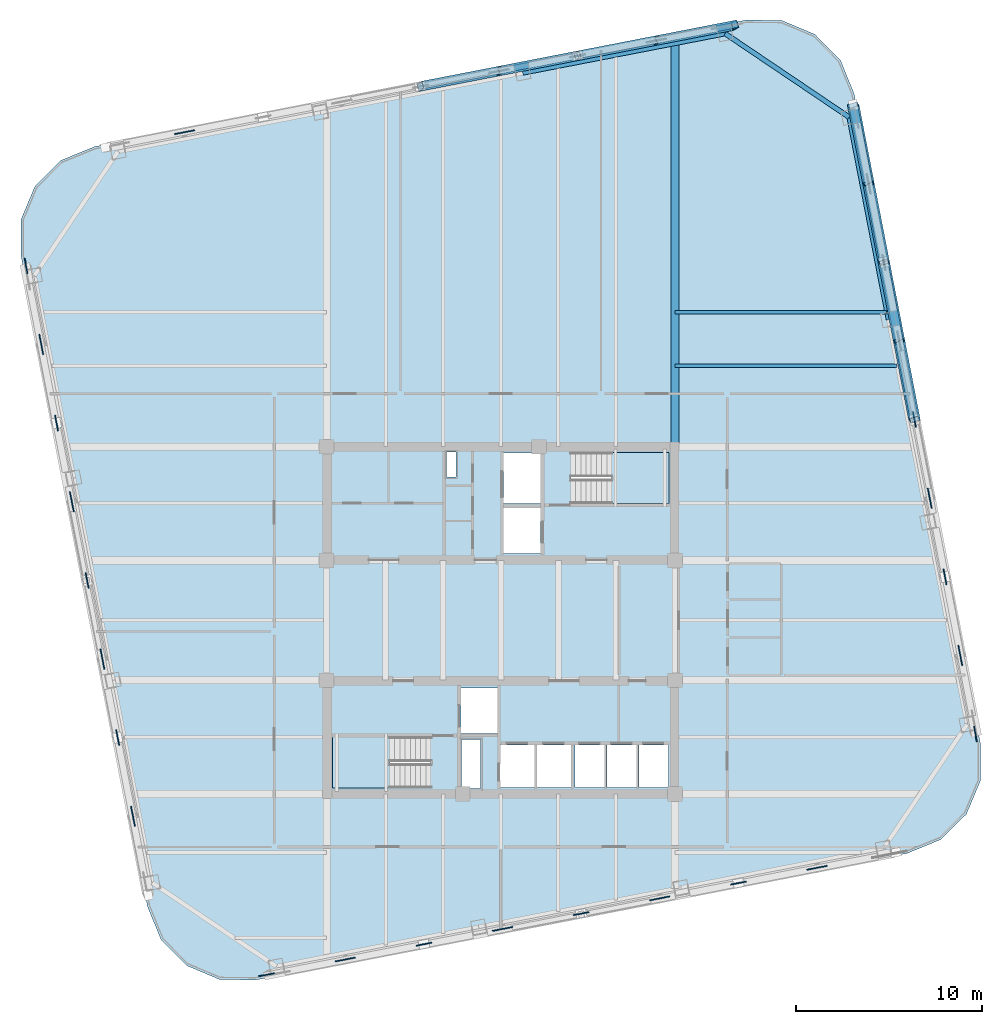
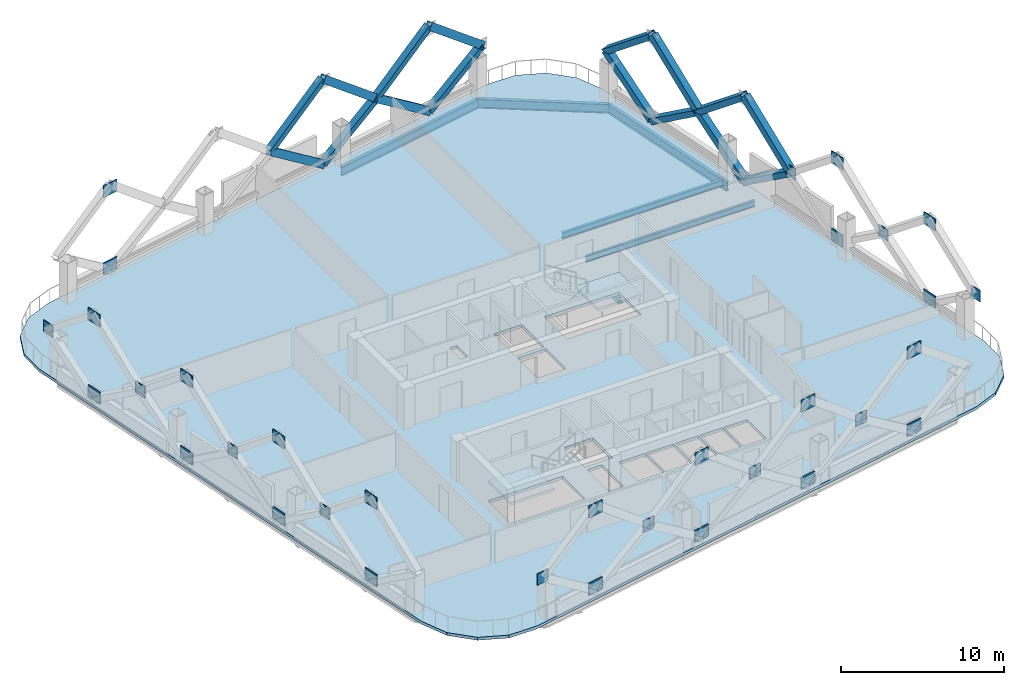
# One storey, part 3 of 9: 33 plates, 16 members, 6 beams, 3 slabs, 2 elements without a shape of their own.
"""IFC4 building model written with IfcOpenShell, lengths in metres."""

from ifc_helpers import new_model, si_unit, direction, frame, origin, origin_2d, place, context, subcontext, project, spatial, polyline, rectangle, hollow_rectangle, i_section, outline, extrude, material, layer, layer_set, material_profile, profile_set, type_object, element, aggregate, save


model = new_model("IFC4")

# Units and contexts
model_context = context("Model", 3, precision=1e-05, world=origin(), true_north=direction((0.0, 1.0)))
body_context = subcontext(model_context, "Body", "Model", "MODEL_VIEW")
ifc_project = project(units=[si_unit("LENGTHUNIT", "METRE"), si_unit("AREAUNIT", "SQUARE_METRE"), si_unit("VOLUMEUNIT", "CUBIC_METRE"), si_unit("PLANEANGLEUNIT", "RADIAN"), si_unit("MASSUNIT", "GRAM", prefix="KILO")], contexts=[model_context])

# Site, building, storey
site_placement = place(None, origin())
site = spatial("IfcSite", under=ifc_project, at=site_placement, CompositionType="ELEMENT")
building_placement = place(site_placement, origin())
building = spatial("IfcBuilding", under=site, at=building_placement, Name="Qhalaya Broadcast Tower", CompositionType="ELEMENT")
storey_placement = place(building_placement, frame((0.0, 0.0, 137.199951171875)))
storey = spatial("IfcBuildingStorey", under=building, at=storey_placement, Name="L40", CompositionType="ELEMENT", Elevation=137.199951171875)

# Beams
ifc_material_1 = material(Name="Structural Steel ASTM A992 Grade 50", Category="steel")
ifc_material_profile_1 = material_profile(ifc_material_1, i_section(OverallWidth=0.19189453125, OverallDepth=0.462890625, WebThickness=0.010498046875, FlangeThickness=0.017578125, at=origin_2d()), Name="W18X60")
ifc_profile_set_1 = profile_set([ifc_material_profile_1], Name="Structural Steel ASTM A992 Grade 50")
beam_type_1 = type_object("IfcBeamType", Name="Composite Floor Joist J03", PredefinedType="JOIST", material=ifc_profile_set_1)
beam_1_placement = place(storey_placement, frame((9.375, 14.300048828125, -0.451416015625), z_axis=(1.0, 0.0, 0.0), x_axis=(0.0, 1.0, 0.0)))
element("IfcBeam", 1, at=beam_1_placement, inside=storey, type_object=beam_type_1, Name="L40 J03 L40-JWE6E-1", PredefinedType="JOIST", context=body_context, shape_type="SweptSolid", body=[
    extrude(i_section(OverallWidth=0.19189453125, OverallDepth=0.462890625, WebThickness=0.010498046875, FlangeThickness=0.017578125, at=origin_2d()), origin(), (0.0, 0.0, 1.0), 11.969482421875),
])
beam_2_placement = place(storey_placement, frame((9.375, 17.199951171875, -0.451416015625), z_axis=(1.0, 0.0, 0.0), x_axis=(0.0, 1.0, 0.0)))
element("IfcBeam", 2, at=beam_2_placement, inside=storey, type_object=beam_type_1, Name="L40 J03 L40-JWE7E-1", PredefinedType="JOIST", context=body_context, shape_type="SweptSolid", body=[
    extrude(i_section(OverallWidth=0.19189453125, OverallDepth=0.462890625, WebThickness=0.010498046875, FlangeThickness=0.017578125, at=origin_2d()), origin(), (0.0, 0.0, 1.0), 11.40576171875),
])

# Members
ifc_material_2 = material(Name="Structural Steel ASTM A572 Grade 50", Category="steel")
ifc_material_profile_2 = material_profile(ifc_material_2, hollow_rectangle(XDim=0.419921875, YDim=0.550048828125, WallThickness=0.028076171875, at=origin_2d()), Name="BOX 420x550x28")
ifc_profile_set_2 = profile_set([ifc_material_profile_2], Name="Structural Steel ASTM A572 Grade 50")
member_type = type_object("IfcMemberType", Name="Exoskeleton Diamond Diagonal Mid-Low EX2", PredefinedType="BRACE", material=ifc_profile_set_2)
member_1_placement = place(storey_placement, frame((21.4501953125, 15.642578125, 0.360107421875), z_axis=(0.157515892151, -0.810195210327, 0.564599384416), x_axis=(-0.293072672479, 0.507624915822, 0.810200810591)))
element("IfcMember", 3, at=member_1_placement, inside=storey, type_object=member_type, Name="B3 Exoskeleton Diamond Brace E3-D1", PredefinedType="BRACE", context=body_context, shape_type="SweptSolid", body=[
    extrude(hollow_rectangle(XDim=0.419921875, YDim=0.550048828125, WallThickness=0.028076171875, at=origin_2d()), origin(), (0.0, 0.0, 1.0), 5.224853515625),
])
member_2_placement = place(storey_placement, frame((21.4501953125, 15.642578125, 0.360107421875), z_axis=(-0.157464362842, 0.81021722602, 0.564582165052), x_axis=(0.293035753872, -0.507627774648, 0.810212372998)))
element("IfcMember", 4, at=member_2_placement, inside=storey, type_object=member_type, Name="B3 Exoskeleton Diamond Brace E3-D2", PredefinedType="BRACE", context=body_context, shape_type="SweptSolid", body=[
    extrude(hollow_rectangle(XDim=0.419921875, YDim=0.550048828125, WallThickness=0.028076171875, at=origin_2d()), origin(), (0.0, 0.0, 1.0), 5.22509765625),
])
member_3_placement = place(storey_placement, frame((22.273193359375, 11.409423828125, 3.31005859375), z_axis=(-0.149361356786, 0.7682517251, 0.622479294419), x_axis=(0.30391575353, -0.563397144342, 0.76825703544)))
element("IfcMember", 5, at=member_3_placement, inside=storey, type_object=member_type, Name="B3 Exoskeleton Diamond Brace E3-D3", PredefinedType="BRACE", context=body_context, shape_type="SweptSolid", body=[
    extrude(hollow_rectangle(XDim=0.419921875, YDim=0.550048828125, WallThickness=0.028076171875, at=origin_2d()), origin(), (0.0, 0.0, 1.0), 5.510009765625),
])
member_4_placement = place(storey_placement, frame((20.62744140625, 19.8759765625, 3.31005859375), z_axis=(0.149312954415, -0.768274964261, 0.622462224504), x_axis=(-0.303875161046, 0.563400866755, 0.768270362463)))
element("IfcMember", 6, at=member_4_placement, inside=storey, type_object=member_type, Name="B3 Exoskeleton Diamond Brace E3-D4", PredefinedType="BRACE", context=body_context, shape_type="SweptSolid", body=[
    extrude(hollow_rectangle(XDim=0.419921875, YDim=0.550048828125, WallThickness=0.028076171875, at=origin_2d()), origin(), (0.0, 0.0, 1.0), 5.51025390625),
])
member_5_placement = place(storey_placement, frame((19.804443359375, 24.109375, 0.360107421875), z_axis=(0.157509929114, -0.810211263968, 0.564578010526), x_axis=(-0.29306318431, 0.507607486462, 0.810215162589)))
element("IfcMember", 7, at=member_5_placement, inside=storey, type_object=member_type, Name="B3 Exoskeleton Diamond Brace E4-D1", PredefinedType="BRACE", context=body_context, shape_type="SweptSolid", body=[
    extrude(hollow_rectangle(XDim=0.419921875, YDim=0.550048828125, WallThickness=0.028076171875, at=origin_2d()), origin(), (0.0, 0.0, 1.0), 5.22509765625),
])
member_6_placement = place(storey_placement, frame((19.804443359375, 24.109375, 0.360107421875), z_axis=(-0.157470324243, 0.810201172713, 0.564603539413), x_axis=(0.293045239695, -0.507645205852, 0.810198020528)))
element("IfcMember", 8, at=member_6_placement, inside=storey, type_object=member_type, Name="B3 Exoskeleton Diamond Brace E4-D2", PredefinedType="BRACE", context=body_context, shape_type="SweptSolid", body=[
    extrude(hollow_rectangle(XDim=0.419921875, YDim=0.550048828125, WallThickness=0.028076171875, at=origin_2d()), origin(), (0.0, 0.0, 1.0), 5.224853515625),
])
member_7_placement = place(storey_placement, frame((20.62744140625, 19.8759765625, 3.31005859375), z_axis=(-0.149356272715, 0.768269881006, 0.622458106012), x_axis=(0.303905697558, -0.563380010853, 0.768273577811)))
element("IfcMember", 9, at=member_7_placement, inside=storey, type_object=member_type, Name="B3 Exoskeleton Diamond Brace E4-D3", PredefinedType="BRACE", context=body_context, shape_type="SweptSolid", body=[
    extrude(hollow_rectangle(XDim=0.419921875, YDim=0.550048828125, WallThickness=0.028076171875, at=origin_2d()), origin(), (0.0, 0.0, 1.0), 5.51025390625),
])
member_8_placement = place(storey_placement, frame((18.981689453125, 28.342529296875, 3.31005859375), z_axis=(0.149318037079, -0.768256808581, 0.622483413331), x_axis=(-0.303885214513, 0.563418002102, 0.768253819586)))
element("IfcMember", 10, at=member_8_placement, inside=storey, type_object=member_type, Name="B3 Exoskeleton Diamond Brace E4-D4", PredefinedType="BRACE", context=body_context, shape_type="SweptSolid", body=[
    extrude(hollow_rectangle(XDim=0.419921875, YDim=0.550048828125, WallThickness=0.028076171875, at=origin_2d()), origin(), (0.0, 0.0, 1.0), 5.510009765625),
])
for number, where, z_axis, x_axis, name in (
    (11, (8.370361328125, 31.82177734375, 0.360107421875), (0.810201172713, 0.157470324243, 0.564603539413), (-0.293036524533, 0.943041666352, 0.157486541693), "B3 Exoskeleton Diamond Brace N1-D1"),
    (12, (8.370361328125, 31.82177734375, 0.360107421875), (-0.810195210327, -0.157515892151, 0.564599384416), (0.293088153973, -0.943025531131, 0.157487084026), "B3 Exoskeleton Diamond Brace N1-D2"),
):
    element("IfcMember", number, at=place(storey_placement, frame(where, z_axis=z_axis, x_axis=x_axis)), inside=storey, type_object=member_type, Name=name, PredefinedType="BRACE", context=body_context, shape_type="SweptSolid", body=[
        extrude(hollow_rectangle(XDim=0.419921875, YDim=0.550048828125, WallThickness=0.028076171875, at=origin_2d()), origin(), (0.0, 0.0, 1.0), 5.224853515625),
    ])
for number, where, z_axis, x_axis, name in (
    (13, (12.603515625, 32.64453125, 3.31005859375), (-0.768256808581, -0.149318037079, 0.622483413331), (0.30387765791, -0.940934588695, 0.149333414947), "B3 Exoskeleton Diamond Brace N1-D3"),
    (14, (4.13720703125, 30.998779296875, 3.31005859375), (0.7682517251, 0.149361356786, 0.622479294419), (-0.303929176994, 0.940917849685, 0.149334040046), "B3 Exoskeleton Diamond Brace N1-D4"),
):
    element("IfcMember", number, at=place(storey_placement, frame(where, z_axis=z_axis, x_axis=x_axis)), inside=storey, type_object=member_type, Name=name, PredefinedType="BRACE", context=body_context, shape_type="SweptSolid", body=[
        extrude(hollow_rectangle(XDim=0.419921875, YDim=0.550048828125, WallThickness=0.028076171875, at=origin_2d()), origin(), (0.0, 0.0, 1.0), 5.510009765625),
    ])
for number, where, z_axis, x_axis, name in (
    (15, (-0.09619140625, 30.176025390625, 0.360107421875), (0.81021722602, 0.157464362842, 0.564582165052), (-0.29302233544, 0.943045609389, 0.157489331531), "B3 Exoskeleton Diamond Brace N2-D1"),
    (16, (-0.09619140625, 30.176025390625, 0.360107421875), (-0.810211263968, -0.157509929114, 0.564578010526), (0.293073962383, -0.943029475803, 0.157489873772), "B3 Exoskeleton Diamond Brace N2-D2"),
):
    element("IfcMember", number, at=place(storey_placement, frame(where, z_axis=z_axis, x_axis=x_axis)), inside=storey, type_object=member_type, Name=name, PredefinedType="BRACE", context=body_context, shape_type="SweptSolid", body=[
        extrude(hollow_rectangle(XDim=0.419921875, YDim=0.550048828125, WallThickness=0.028076171875, at=origin_2d()), origin(), (0.0, 0.0, 1.0), 5.22509765625),
    ])
for number, where, z_axis, x_axis, name in (
    (17, (4.13720703125, 30.998779296875, 3.31005859375), (-0.768274964261, -0.149312954415, 0.622462224504), (0.303863526325, -0.940938642071, 0.149336630557), "B3 Exoskeleton Diamond Brace N2-D3"),
    (18, (-4.32958984375, 29.35302734375, 3.31005859375), (0.768269881006, 0.149356272715, 0.622458106012), (-0.303915042915, 0.940921904726, 0.149337255557), "B3 Exoskeleton Diamond Brace N2-D4"),
):
    element("IfcMember", number, at=place(storey_placement, frame(where, z_axis=z_axis, x_axis=x_axis)), inside=storey, type_object=member_type, Name=name, PredefinedType="BRACE", context=body_context, shape_type="SweptSolid", body=[
        extrude(hollow_rectangle(XDim=0.419921875, YDim=0.550048828125, WallThickness=0.028076171875, at=origin_2d()), origin(), (0.0, 0.0, 1.0), 5.51025390625),
    ])

# Beams
ifc_material_profile_3 = material_profile(ifc_material_1, i_section(OverallWidth=0.4189453125, OverallDepth=0.927001953125, WebThickness=0.019287109375, FlangeThickness=0.031982421875, at=origin_2d()), Name="W36X231")
ifc_profile_set_3 = profile_set([ifc_material_profile_3], Name="Structural Steel ASTM A992 Grade 50")
beam_type_2 = type_object("IfcBeamType", Name="Mid Block Primary Girder PG3", PredefinedType="USERDEFINED", material=ifc_profile_set_3)
beam_3_placement = place(storey_placement, frame((9.375, 9.949951171875, -0.683349609375), z_axis=(0.0, 1.0, 0.0), x_axis=(-1.0, 0.0, 0.0)))
element("IfcBeam", 19, at=beam_3_placement, inside=storey, type_object=beam_type_2, Name="L40 PG3 L40-PGXN2-1", ObjectType="GIRDER", PredefinedType="USERDEFINED", context=body_context, shape_type="SweptSolid", body=[
    extrude(i_section(OverallWidth=0.4189453125, OverallDepth=0.927001953125, WebThickness=0.019287109375, FlangeThickness=0.031982421875, at=origin_2d()), origin(), (0.0, 0.0, 1.0), 21.7001953125),
])
ifc_material_profile_4 = material_profile(ifc_material_1, i_section(OverallWidth=0.25390625, OverallDepth=0.68310546875, WebThickness=0.012451171875, FlangeThickness=0.01904296875, at=origin_2d()), Name="W27X94")
ifc_profile_set_4 = profile_set([ifc_material_profile_4], Name="Structural Steel ASTM A992 Grade 50")
beam_type_3 = type_object("IfcBeamType", Name="Perimeter Ring Spandrel Beam SP1", PredefinedType="SPANDREL", material=ifc_profile_set_4)
beam_4_placement = place(storey_placement, frame((20.88037109375, 16.79248046875, -0.5615234375), z_axis=(-0.190800781233, 0.98162878008, 0.0), x_axis=(-0.98162878008, -0.190800781233, 0.0)))
element("IfcBeam", 20, at=beam_4_placement, inside=storey, type_object=beam_type_3, Name="L40 SP1 L40-SPR-07", PredefinedType="SPANDREL", context=body_context, shape_type="SweptSolid", body=[
    extrude(i_section(OverallWidth=0.25390625, OverallDepth=0.68310546875, WebThickness=0.012451171875, FlangeThickness=0.01904296875, at=origin_2d()), origin(), (0.0, 0.0, 1.0), 11.10009765625),
])
beam_5_placement = place(storey_placement, frame((18.762451171875, 27.688720703125, -0.5615234375), z_axis=(-0.829042088473, 0.559186208288, 0.0), x_axis=(-0.559186208288, -0.829042088473, 0.0)))
element("IfcBeam", 21, at=beam_5_placement, inside=storey, type_object=beam_type_3, Name="L40 SP1 L40-SPR-08", PredefinedType="SPANDREL", context=body_context, shape_type="SweptSolid", body=[
    extrude(i_section(OverallWidth=0.25390625, OverallDepth=0.68310546875, WebThickness=0.012451171875, FlangeThickness=0.01904296875, at=origin_2d()), origin(), (0.0, 0.0, 1.0), 8.06103515625),
])
beam_6_placement = place(storey_placement, frame((12.07958984375, 32.1962890625, -0.5615234375), z_axis=(-0.98162878008, -0.190800781233, 0.0), x_axis=(0.190800781233, -0.98162878008, 0.0)))
element("IfcBeam", 22, at=beam_6_placement, inside=storey, type_object=beam_type_3, Name="L40 SP1 L40-SPR-09", PredefinedType="SPANDREL", context=body_context, shape_type="SweptSolid", body=[
    extrude(i_section(OverallWidth=0.25390625, OverallDepth=0.68310546875, WebThickness=0.012451171875, FlangeThickness=0.01904296875, at=origin_2d()), origin(), (0.0, 0.0, 1.0), 11.10009765625),
])

# Plates
ifc_layer_1 = layer(ifc_material_2, 0.054931640625, Name="Structural Steel ASTM A572 Grade 50")
ifc_layer_set_1 = layer_set([ifc_layer_1], Name="Structural Steel ASTM A572 Grade 50")
plate_type = type_object("IfcPlateType", Name="Exoskeleton Diamond Node Gusset Plate NP-01", PredefinedType="USERDEFINED", material=ifc_layer_set_1)
for number, where, z_axis, x_axis, name in (
    (23, (-8.370361328125, -17.66162109375, 0.210205078125), (0.0, 0.0, 1.0), (0.981627183448, 0.190808995377, 0.0), "Exoskeleton Diamond Node B3-S1-BOT"),
    (24, (-8.370361328125, -17.66162109375, 5.989990234375), (0.0, 0.0, 1.0), (0.981627183448, 0.190808995377, 0.0), "Exoskeleton Diamond Node B3-S1-TOP"),
):
    element("IfcPlate", number, at=place(storey_placement, frame(where, z_axis=z_axis, x_axis=x_axis)), inside=storey, type_object=plate_type, Name=name, ObjectType="GUSSET_PLATE", PredefinedType="USERDEFINED", context=body_context, shape_type="SweptSolid", body=[
        extrude(rectangle(XDim=1.10009765625, YDim=0.054931640625, at=origin_2d()), origin(), (0.0, 0.0, 1.0), 0.89990234375),
    ])
plate_1_placement = place(storey_placement, frame((-12.603515625, -18.484619140625, 2.885009765625), z_axis=(0.0, 0.0, 1.0), x_axis=(0.981627183448, 0.190808995377, 0.0)))
element("IfcPlate", 25, at=plate_1_placement, inside=storey, type_object=plate_type, Name="Exoskeleton Diamond Node B3-S1-MDL", ObjectType="GUSSET_PLATE", PredefinedType="USERDEFINED", context=body_context, shape_type="SweptSolid", body=[
    extrude(rectangle(XDim=0.85009765625, YDim=0.054931640625, at=origin_2d()), origin(), (0.0, 0.0, 1.0), 0.85009765625),
])
for number, where, z_axis, x_axis, name in (
    (26, (0.09619140625, -16.01611328125, 0.210205078125), (0.0, 0.0, 1.0), (0.981627183448, 0.190808995377, 0.0), "Exoskeleton Diamond Node B3-S2-BOT"),
    (27, (0.09619140625, -16.01611328125, 5.989990234375), (0.0, 0.0, 1.0), (0.981627183448, 0.190808995377, 0.0), "Exoskeleton Diamond Node B3-S2-TOP"),
):
    element("IfcPlate", number, at=place(storey_placement, frame(where, z_axis=z_axis, x_axis=x_axis)), inside=storey, type_object=plate_type, Name=name, ObjectType="GUSSET_PLATE", PredefinedType="USERDEFINED", context=body_context, shape_type="SweptSolid", body=[
        extrude(rectangle(XDim=1.10009765625, YDim=0.054931640625, at=origin_2d()), origin(), (0.0, 0.0, 1.0), 0.89990234375),
    ])
plate_2_placement = place(storey_placement, frame((-4.13720703125, -16.8388671875, 2.885009765625), z_axis=(0.0, 0.0, 1.0), x_axis=(0.981627183448, 0.190808995377, 0.0)))
element("IfcPlate", 28, at=plate_2_placement, inside=storey, type_object=plate_type, Name="Exoskeleton Diamond Node B3-S2-MDL", ObjectType="GUSSET_PLATE", PredefinedType="USERDEFINED", context=body_context, shape_type="SweptSolid", body=[
    extrude(rectangle(XDim=0.85009765625, YDim=0.054931640625, at=origin_2d()), origin(), (0.0, 0.0, 1.0), 0.85009765625),
])
for number, where, z_axis, x_axis, name in (
    (29, (8.562744140625, -14.370361328125, 0.210205078125), (0.0, 0.0, 1.0), (0.981627183448, 0.190808995377, 0.0), "Exoskeleton Diamond Node B3-S3-BOT"),
    (30, (8.562744140625, -14.370361328125, 5.989990234375), (0.0, 0.0, 1.0), (0.981627183448, 0.190808995377, 0.0), "Exoskeleton Diamond Node B3-S3-TOP"),
):
    element("IfcPlate", number, at=place(storey_placement, frame(where, z_axis=z_axis, x_axis=x_axis)), inside=storey, type_object=plate_type, Name=name, ObjectType="GUSSET_PLATE", PredefinedType="USERDEFINED", context=body_context, shape_type="SweptSolid", body=[
        extrude(rectangle(XDim=1.10009765625, YDim=0.054931640625, at=origin_2d()), origin(), (0.0, 0.0, 1.0), 0.89990234375),
    ])
plate_3_placement = place(storey_placement, frame((4.32958984375, -15.193115234375, 2.885009765625), z_axis=(0.0, 0.0, 1.0), x_axis=(0.981627183448, 0.190808995377, 0.0)))
element("IfcPlate", 31, at=plate_3_placement, inside=storey, type_object=plate_type, Name="Exoskeleton Diamond Node B3-S3-MDL", ObjectType="GUSSET_PLATE", PredefinedType="USERDEFINED", context=body_context, shape_type="SweptSolid", body=[
    extrude(rectangle(XDim=0.85009765625, YDim=0.054931640625, at=origin_2d()), origin(), (0.0, 0.0, 1.0), 0.85009765625),
])
for number, where, z_axis, x_axis, name in (
    (32, (17.029296875, -12.724609375, 0.210205078125), (0.0, 0.0, 1.0), (0.981627183448, 0.190808995377, 0.0), "Exoskeleton Diamond Node B3-S4-BOT"),
    (33, (17.029296875, -12.724609375, 5.989990234375), (0.0, 0.0, 1.0), (0.981627183448, 0.190808995377, 0.0), "Exoskeleton Diamond Node B3-S4-TOP"),
):
    element("IfcPlate", number, at=place(storey_placement, frame(where, z_axis=z_axis, x_axis=x_axis)), inside=storey, type_object=plate_type, Name=name, ObjectType="GUSSET_PLATE", PredefinedType="USERDEFINED", context=body_context, shape_type="SweptSolid", body=[
        extrude(rectangle(XDim=1.10009765625, YDim=0.054931640625, at=origin_2d()), origin(), (0.0, 0.0, 1.0), 0.89990234375),
    ])
plate_4_placement = place(storey_placement, frame((12.7958984375, -13.54736328125, 2.885009765625), z_axis=(0.0, 0.0, 1.0), x_axis=(0.981627183448, 0.190808995377, 0.0)))
element("IfcPlate", 34, at=plate_4_placement, inside=storey, type_object=plate_type, Name="Exoskeleton Diamond Node B3-S4-MDL", ObjectType="GUSSET_PLATE", PredefinedType="USERDEFINED", context=body_context, shape_type="SweptSolid", body=[
    extrude(rectangle(XDim=0.85009765625, YDim=0.054931640625, at=origin_2d()), origin(), (0.0, 0.0, 1.0), 0.85009765625),
])
for number, where, z_axis, x_axis, name in (
    (35, (24.74169921875, -1.290283203125, 0.210205078125), (0.0, 0.0, 1.0), (-0.190808995377, 0.981627183448, 0.0), "Exoskeleton Diamond Node B3-E1-BOT"),
    (36, (24.74169921875, -1.290283203125, 5.989990234375), (0.0, 0.0, 1.0), (-0.190808995377, 0.981627183448, 0.0), "Exoskeleton Diamond Node B3-E1-TOP"),
):
    element("IfcPlate", number, at=place(storey_placement, frame(where, z_axis=z_axis, x_axis=x_axis)), inside=storey, type_object=plate_type, Name=name, ObjectType="GUSSET_PLATE", PredefinedType="USERDEFINED", context=body_context, shape_type="SweptSolid", body=[
        extrude(rectangle(XDim=1.10009765625, YDim=0.054931640625, at=origin_2d()), origin(), (0.0, 0.0, 1.0), 0.89990234375),
    ])
plate_5_placement = place(storey_placement, frame((25.564697265625, -5.523681640625, 2.885009765625), z_axis=(0.0, 0.0, 1.0), x_axis=(-0.190808995377, 0.981627183448, 0.0)))
element("IfcPlate", 37, at=plate_5_placement, inside=storey, type_object=plate_type, Name="Exoskeleton Diamond Node B3-E1-MDL", ObjectType="GUSSET_PLATE", PredefinedType="USERDEFINED", context=body_context, shape_type="SweptSolid", body=[
    extrude(rectangle(XDim=0.85009765625, YDim=0.054931640625, at=origin_2d()), origin(), (0.0, 0.0, 1.0), 0.85009765625),
])
for number, where, z_axis, x_axis, name in (
    (38, (23.095947265625, 7.17626953125, 0.210205078125), (0.0, 0.0, 1.0), (-0.190808995377, 0.981627183448, 0.0), "Exoskeleton Diamond Node B3-E2-BOT"),
    (39, (23.095947265625, 7.17626953125, 5.989990234375), (0.0, 0.0, 1.0), (-0.190808995377, 0.981627183448, 0.0), "Exoskeleton Diamond Node B3-E2-TOP"),
):
    element("IfcPlate", number, at=place(storey_placement, frame(where, z_axis=z_axis, x_axis=x_axis)), inside=storey, type_object=plate_type, Name=name, ObjectType="GUSSET_PLATE", PredefinedType="USERDEFINED", context=body_context, shape_type="SweptSolid", body=[
        extrude(rectangle(XDim=1.10009765625, YDim=0.054931640625, at=origin_2d()), origin(), (0.0, 0.0, 1.0), 0.89990234375),
    ])
for number, where, z_axis, x_axis, name in (
    (40, (23.918701171875, 2.94287109375, 2.885009765625), (0.0, 0.0, 1.0), (-0.190808995377, 0.981627183448, 0.0), "Exoskeleton Diamond Node B3-E2-MDL"),
    (41, (22.273193359375, 11.409423828125, 2.885009765625), (0.0, 0.0, 1.0), (-0.190808995377, 0.981627183448, 0.0), "Exoskeleton Diamond Node B3-E3-MDL"),
):
    element("IfcPlate", number, at=place(storey_placement, frame(where, z_axis=z_axis, x_axis=x_axis)), inside=storey, type_object=plate_type, Name=name, ObjectType="GUSSET_PLATE", PredefinedType="USERDEFINED", context=body_context, shape_type="SweptSolid", body=[
        extrude(rectangle(XDim=0.85009765625, YDim=0.054931640625, at=origin_2d()), origin(), (0.0, 0.0, 1.0), 0.85009765625),
    ])
for number, where, z_axis, x_axis, name in (
    (42, (-17.029296875, 26.884521484375, 0.210205078125), (0.0, 0.0, 1.0), (0.981627183448, 0.190808995377, 0.0), "Exoskeleton Diamond Node B3-N4-BOT"),
    (43, (-17.029296875, 26.884521484375, 5.989990234375), (0.0, 0.0, 1.0), (0.981627183448, 0.190808995377, 0.0), "Exoskeleton Diamond Node B3-N4-TOP"),
    (44, (-24.74169921875, 15.4501953125, 0.210205078125), (0.0, 0.0, 1.0), (-0.190808995377, 0.981627183448, 0.0), "Exoskeleton Diamond Node B3-W1-BOT"),
    (45, (-24.74169921875, 15.4501953125, 5.989990234375), (0.0, 0.0, 1.0), (-0.190808995377, 0.981627183448, 0.0), "Exoskeleton Diamond Node B3-W1-TOP"),
):
    element("IfcPlate", number, at=place(storey_placement, frame(where, z_axis=z_axis, x_axis=x_axis)), inside=storey, type_object=plate_type, Name=name, ObjectType="GUSSET_PLATE", PredefinedType="USERDEFINED", context=body_context, shape_type="SweptSolid", body=[
        extrude(rectangle(XDim=1.10009765625, YDim=0.054931640625, at=origin_2d()), origin(), (0.0, 0.0, 1.0), 0.89990234375),
    ])
plate_6_placement = place(storey_placement, frame((-25.564697265625, 19.68359375, 2.885009765625), z_axis=(0.0, 0.0, 1.0), x_axis=(-0.190808995377, 0.981627183448, 0.0)))
element("IfcPlate", 46, at=plate_6_placement, inside=storey, type_object=plate_type, Name="Exoskeleton Diamond Node B3-W1-MDL", ObjectType="GUSSET_PLATE", PredefinedType="USERDEFINED", context=body_context, shape_type="SweptSolid", body=[
    extrude(rectangle(XDim=0.85009765625, YDim=0.054931640625, at=origin_2d()), origin(), (0.0, 0.0, 1.0), 0.85009765625),
])
for number, where, z_axis, x_axis, name in (
    (47, (-23.095947265625, 6.98388671875, 0.210205078125), (0.0, 0.0, 1.0), (-0.190808995377, 0.981627183448, 0.0), "Exoskeleton Diamond Node B3-W2-BOT"),
    (48, (-23.095947265625, 6.98388671875, 5.989990234375), (0.0, 0.0, 1.0), (-0.190808995377, 0.981627183448, 0.0), "Exoskeleton Diamond Node B3-W2-TOP"),
):
    element("IfcPlate", number, at=place(storey_placement, frame(where, z_axis=z_axis, x_axis=x_axis)), inside=storey, type_object=plate_type, Name=name, ObjectType="GUSSET_PLATE", PredefinedType="USERDEFINED", context=body_context, shape_type="SweptSolid", body=[
        extrude(rectangle(XDim=1.10009765625, YDim=0.054931640625, at=origin_2d()), origin(), (0.0, 0.0, 1.0), 0.89990234375),
    ])
plate_7_placement = place(storey_placement, frame((-23.918701171875, 11.217041015625, 2.885009765625), z_axis=(0.0, 0.0, 1.0), x_axis=(-0.190808995377, 0.981627183448, 0.0)))
element("IfcPlate", 49, at=plate_7_placement, inside=storey, type_object=plate_type, Name="Exoskeleton Diamond Node B3-W2-MDL", ObjectType="GUSSET_PLATE", PredefinedType="USERDEFINED", context=body_context, shape_type="SweptSolid", body=[
    extrude(rectangle(XDim=0.85009765625, YDim=0.054931640625, at=origin_2d()), origin(), (0.0, 0.0, 1.0), 0.85009765625),
])
for number, where, z_axis, x_axis, name in (
    (50, (-21.4501953125, -1.482666015625, 0.210205078125), (0.0, 0.0, 1.0), (-0.190808995377, 0.981627183448, 0.0), "Exoskeleton Diamond Node B3-W3-BOT"),
    (51, (-21.4501953125, -1.482666015625, 5.989990234375), (0.0, 0.0, 1.0), (-0.190808995377, 0.981627183448, 0.0), "Exoskeleton Diamond Node B3-W3-TOP"),
):
    element("IfcPlate", number, at=place(storey_placement, frame(where, z_axis=z_axis, x_axis=x_axis)), inside=storey, type_object=plate_type, Name=name, ObjectType="GUSSET_PLATE", PredefinedType="USERDEFINED", context=body_context, shape_type="SweptSolid", body=[
        extrude(rectangle(XDim=1.10009765625, YDim=0.054931640625, at=origin_2d()), origin(), (0.0, 0.0, 1.0), 0.89990234375),
    ])
plate_8_placement = place(storey_placement, frame((-22.273193359375, 2.75048828125, 2.885009765625), z_axis=(0.0, 0.0, 1.0), x_axis=(-0.190808995377, 0.981627183448, 0.0)))
element("IfcPlate", 52, at=plate_8_placement, inside=storey, type_object=plate_type, Name="Exoskeleton Diamond Node B3-W3-MDL", ObjectType="GUSSET_PLATE", PredefinedType="USERDEFINED", context=body_context, shape_type="SweptSolid", body=[
    extrude(rectangle(XDim=0.85009765625, YDim=0.054931640625, at=origin_2d()), origin(), (0.0, 0.0, 1.0), 0.85009765625),
])
for number, where, z_axis, x_axis, name in (
    (53, (-19.804443359375, -9.94921875, 0.210205078125), (0.0, 0.0, 1.0), (-0.190808995377, 0.981627183448, 0.0), "Exoskeleton Diamond Node B3-W4-BOT"),
    (54, (-19.804443359375, -9.94921875, 5.989990234375), (0.0, 0.0, 1.0), (-0.190808995377, 0.981627183448, 0.0), "Exoskeleton Diamond Node B3-W4-TOP"),
):
    element("IfcPlate", number, at=place(storey_placement, frame(where, z_axis=z_axis, x_axis=x_axis)), inside=storey, type_object=plate_type, Name=name, ObjectType="GUSSET_PLATE", PredefinedType="USERDEFINED", context=body_context, shape_type="SweptSolid", body=[
        extrude(rectangle(XDim=1.10009765625, YDim=0.054931640625, at=origin_2d()), origin(), (0.0, 0.0, 1.0), 0.89990234375),
    ])
plate_9_placement = place(storey_placement, frame((-20.62744140625, -5.716064453125, 2.885009765625), z_axis=(0.0, 0.0, 1.0), x_axis=(-0.190808995377, 0.981627183448, 0.0)))
element("IfcPlate", 55, at=plate_9_placement, inside=storey, type_object=plate_type, Name="Exoskeleton Diamond Node B3-W4-MDL", ObjectType="GUSSET_PLATE", PredefinedType="USERDEFINED", context=body_context, shape_type="SweptSolid", body=[
    extrude(rectangle(XDim=0.85009765625, YDim=0.054931640625, at=origin_2d()), origin(), (0.0, 0.0, 1.0), 0.85009765625),
])

# Stair, slab
ifc_material_3 = material(Name="Concrete C40/50", Category="concrete")
stair_type = type_object("IfcStairType", Name="Protected Dogleg Core Stair 3150", PredefinedType="TWO_STRAIGHT_RUN_STAIR", material=ifc_material_3)
stair_1_placement = place(storey_placement, origin())
stair_1 = element("IfcStair", 56, at=stair_1_placement, inside=storey, type_object=stair_type, Name="L40 North Core Exit Stair ST-1", PredefinedType="TWO_STRAIGHT_RUN_STAIR")
ifc_layer_2 = layer(ifc_material_3, 0.199951171875, Name="Concrete C40/50")
ifc_layer_set_2 = layer_set([ifc_layer_2], Name="Concrete C40/50")
slab_type_1 = type_object("IfcSlabType", Name="Stair & Ramp Half-Landing Slab 200", PredefinedType="LANDING", material=ifc_layer_set_2)
slab_1_placement = place(storey_placement, frame((0.0, 0.0, 1.324951171875)))
slab_1 = element("IfcSlab", 57, at=slab_1_placement, type_object=slab_type_1, Name="ST-1 landing 1", PredefinedType="LANDING", context=body_context, shape_type="SweptSolid", body=[
    extrude(outline(polyline([(5.955078125, 6.8798828125), (9.050048828125, 6.8798828125), (9.050048828125, 9.639892578125), (5.955078125, 9.639892578125), (5.955078125, 6.8798828125)])), origin(), (0.0, 0.0, 1.0), 0.2001953125),
])
aggregate(stair_1, [slab_1])

stair_2_placement = place(storey_placement, origin())
stair_2 = element("IfcStair", 58, at=stair_2_placement, inside=storey, type_object=stair_type, Name="L40 South Core Exit Stair ST-2", PredefinedType="TWO_STRAIGHT_RUN_STAIR")
slab_2_placement = place(storey_placement, frame((0.0, 0.0, 1.324951171875)))
slab_2 = element("IfcSlab", 59, at=slab_2_placement, type_object=slab_type_1, Name="ST-2 landing 1", PredefinedType="LANDING", context=body_context, shape_type="SweptSolid", body=[
    extrude(outline(polyline([(-5.955078125, -5.679931640625), (-9.050048828125, -5.679931640625), (-9.050048828125, -8.43994140625), (-5.955078125, -8.43994140625), (-5.955078125, -5.679931640625)])), origin(), (0.0, 0.0, 1.0), 0.2001953125),
])
aggregate(stair_2, [slab_2])

# Slab
ifc_layer_3 = layer(ifc_material_3, 0.219970703125, Name="Concrete C40/50")
ifc_layer_set_3 = layer_set([ifc_layer_3], Name="Concrete C40/50")
slab_type_2 = type_object("IfcSlabType", Name="Tower Composite Floor Slab 220", PredefinedType="FLOOR", material=ifc_layer_set_3)
slab_3_placement = place(storey_placement, frame((0.0, 0.0, -0.219970703125)))
element("IfcSlab", 60, at=slab_3_placement, inside=storey, type_object=slab_type_2, Name="L40 Main Structural Floor Slab", PredefinedType="FLOOR", context=body_context, shape_type="SweptSolid", body=[
    extrude(outline(polyline([(21.882080078125, -11.944091796875), (23.687744140625, -11.20556640625), (25.0732421875, -9.83203125), (25.82763671875, -8.032958984375), (25.836181640625, -6.08203125), (19.024169921875, 28.9619140625), (18.285400390625, 30.767578125), (16.912109375, 32.1533203125), (15.11279296875, 32.90771484375), (13.162109375, 32.916015625), (-21.882080078125, 26.104248046875), (-23.687744140625, 25.365478515625), (-25.0732421875, 23.9921875), (-25.82763671875, 22.19287109375), (-25.836181640625, 20.2421875), (-19.024169921875, -14.802001953125), (-18.285400390625, -16.607666015625), (-16.912109375, -17.9931640625), (-15.11279296875, -18.74755859375), (-13.162109375, -18.756103515625), (21.882080078125, -11.944091796875)]), holes=[polyline([(3.784912109375, 9.639892578125), (9.050048828125, 9.639892578125), (9.050048828125, 6.8798828125), (3.784912109375, 6.8798828125), (3.784912109375, 9.639892578125)]), polyline([(-3.784912109375, -8.43994140625), (-9.050048828125, -8.43994140625), (-9.050048828125, -5.679931640625), (-3.784912109375, -5.679931640625), (-3.784912109375, -8.43994140625)]), polyline([(0.14990234375, 6.64990234375), (2.14990234375, 6.64990234375), (2.14990234375, 4.199951171875), (0.14990234375, 4.199951171875), (0.14990234375, 6.64990234375)]), polyline([(0.14990234375, 9.60009765625), (2.14990234375, 9.60009765625), (2.14990234375, 6.89990234375), (0.14990234375, 6.89990234375), (0.14990234375, 9.60009765625)]), polyline([(-2.14990234375, -3.050048828125), (-0.14990234375, -3.050048828125), (-0.14990234375, -5.5), (-2.14990234375, -5.5), (-2.14990234375, -3.050048828125)]), polyline([(-0.050048828125, -6.10009765625), (1.830078125, -6.10009765625), (1.830078125, -8.39990234375), (-0.050048828125, -8.39990234375), (-0.050048828125, -6.10009765625)]), polyline([(1.949951171875, -6.10009765625), (3.830078125, -6.10009765625), (3.830078125, -8.39990234375), (1.949951171875, -8.39990234375), (1.949951171875, -6.10009765625)]), polyline([(4.0, -6.10009765625), (5.60009765625, -6.10009765625), (5.60009765625, -8.39990234375), (4.0, -8.39990234375), (4.0, -6.10009765625)]), polyline([(5.719970703125, -6.10009765625), (7.320068359375, -6.10009765625), (7.320068359375, -8.39990234375), (5.719970703125, -8.39990234375), (5.719970703125, -6.10009765625)]), polyline([(7.43994140625, -6.10009765625), (9.0400390625, -6.10009765625), (9.0400390625, -8.39990234375), (7.43994140625, -8.39990234375), (7.43994140625, -6.10009765625)]), polyline([(-2.919921875, 9.659912109375), (-2.419921875, 9.659912109375), (-2.419921875, 8.320068359375), (-2.919921875, 8.320068359375), (-2.919921875, 9.659912109375)]), polyline([(-2.1201171875, -5.820068359375), (-1.080078125, -5.820068359375), (-1.080078125, -8.4599609375), (-2.1201171875, -8.4599609375), (-2.1201171875, -5.820068359375)])]), origin(), (0.0, 0.0, 1.0), 0.219970703125),
])

save(model, "model.ifc")
